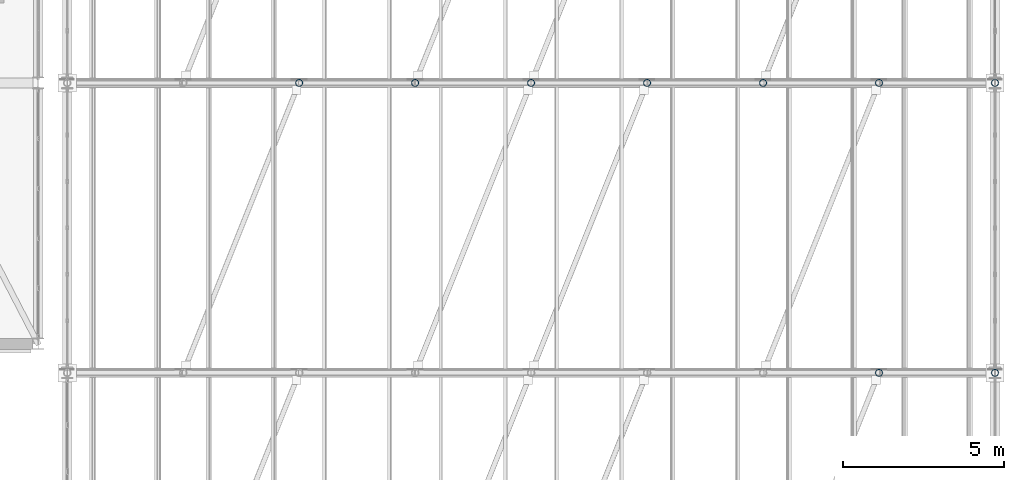
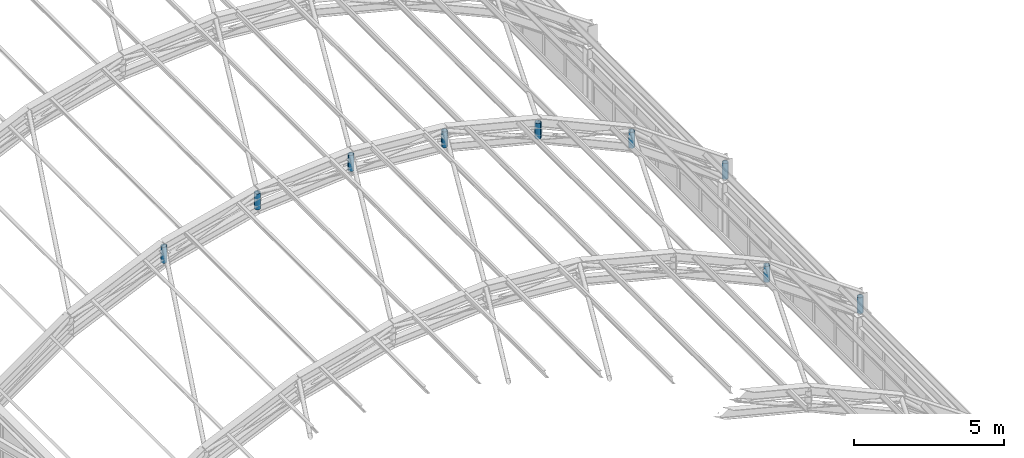
# One storey, part 92 of 121: 9 members.
"""IFC4 building model written with IfcOpenShell, lengths in metres."""

from ifc_helpers import new_model, si_unit, direction, frame, origin, origin_2d, place, context, subcontext, project, spatial, hollow_circle, extrude, material, material_profile, profile_set, type_object, element, save


model = new_model("IFC4")

# Units and contexts
model_context = context("Model", 3, precision=1e-05, world=origin(), true_north=direction((0.0, 1.0)))
body_context = subcontext(model_context, "Body", "Model", "MODEL_VIEW")
ifc_project = project(units=[si_unit("LENGTHUNIT", "METRE"), si_unit("AREAUNIT", "SQUARE_METRE"), si_unit("VOLUMEUNIT", "CUBIC_METRE"), si_unit("PLANEANGLEUNIT", "RADIAN"), si_unit("MASSUNIT", "GRAM", prefix="KILO")], contexts=[model_context])

# Site, building, storey
site_placement = place(None, origin())
site = spatial("IfcSite", under=ifc_project, at=site_placement, CompositionType="ELEMENT")
building_placement = place(site_placement, origin())
building = spatial("IfcBuilding", under=site, at=building_placement, Name="Canglan Escarpment Cableway Terminal", CompositionType="ELEMENT")
storey_placement = place(building_placement, frame((0.0, 0.0, 24.60009765625)))
storey = spatial("IfcBuildingStorey", under=building, at=storey_placement, Name="L05", CompositionType="ELEMENT", Elevation=24.60009765625)

# Members
ifc_material = material(Name="Steel Q355B", Category="steel")
ifc_material_profile = material_profile(ifc_material, hollow_circle(Radius=0.109619140625, WallThickness=0.008056640625, at=origin_2d()), Name="CHS 219.1x8")
ifc_profile_set = profile_set([ifc_material_profile], Name="Steel Q355B")
member_type = type_object("IfcMemberType", Name="MB-ARCH-WEB-CHS219", PredefinedType="BRACE", material=ifc_profile_set)
member_1_placement = place(storey_placement, frame((162.800048828125, 88.0, 4.966552734375), z_axis=(0.0, 0.0, 1.0), x_axis=(1.0, 0.0, 0.0)))
element("IfcMember", 1, at=member_1_placement, inside=storey, type_object=member_type, Name="Vault ROOF TRUSS vertical strut AR-WB1", PredefinedType="BRACE", context=body_context, shape_type="SweptSolid", body=[
    extrude(hollow_circle(Radius=0.109619140625, WallThickness=0.008056640625, at=origin_2d()), origin(), (0.0, 0.0, 1.0), 0.64990234375),
])
member_2_placement = place(storey_placement, frame((166.39990234375, 88.0, 2.432373046875), z_axis=(0.0, 0.0, 1.0), x_axis=(1.0, 0.0, 0.0)))
element("IfcMember", 2, at=member_2_placement, inside=storey, type_object=member_type, Name="Vault ROOF TRUSS springing strut AR-WB1", PredefinedType="BRACE", context=body_context, shape_type="SweptSolid", body=[
    extrude(hollow_circle(Radius=0.109619140625, WallThickness=0.008056640625, at=origin_2d()), origin(), (0.0, 0.0, 1.0), 0.650146484375),
])
for number, where, z_axis, x_axis, name in (
    (3, (144.800048828125, 97.0, 6.58837890625), (0.0, 0.0, 1.0), (1.0, 0.0, 0.0), "Vault ROOF TRUSS vertical strut AR-WB1"),
    (4, (148.39990234375, 97.0, 7.50341796875), (0.0, 0.0, 1.0), (1.0, 0.0, 0.0), "Vault ROOF TRUSS vertical strut AR-WB1"),
):
    element("IfcMember", number, at=place(storey_placement, frame(where, z_axis=z_axis, x_axis=x_axis)), inside=storey, type_object=member_type, Name=name, PredefinedType="BRACE", context=body_context, shape_type="SweptSolid", body=[
        extrude(hollow_circle(Radius=0.109619140625, WallThickness=0.008056640625, at=origin_2d()), origin(), (0.0, 0.0, 1.0), 0.64990234375),
    ])
member_3_placement = place(storey_placement, frame((152.0, 97.0, 7.7998046875), z_axis=(0.0, 0.0, 1.0), x_axis=(1.0, 0.0, 0.0)))
element("IfcMember", 5, at=member_3_placement, inside=storey, type_object=member_type, Name="Vault ROOF TRUSS vertical strut AR-WB1", PredefinedType="BRACE", context=body_context, shape_type="SweptSolid", body=[
    extrude(hollow_circle(Radius=0.109619140625, WallThickness=0.008056640625, at=origin_2d()), origin(), (0.0, 0.0, 1.0), 0.650146484375),
])
for number, where, z_axis, x_axis, name in (
    (6, (155.60009765625, 97.0, 7.50341796875), (0.0, 0.0, 1.0), (1.0, 0.0, 0.0), "Vault ROOF TRUSS vertical strut AR-WB1"),
    (7, (159.199951171875, 97.0, 6.58837890625), (0.0, 0.0, 1.0), (1.0, 0.0, 0.0), "Vault ROOF TRUSS vertical strut AR-WB1"),
    (8, (162.800048828125, 97.0, 4.966552734375), (0.0, 0.0, 1.0), (1.0, 0.0, 0.0), "Vault ROOF TRUSS vertical strut AR-WB1"),
):
    element("IfcMember", number, at=place(storey_placement, frame(where, z_axis=z_axis, x_axis=x_axis)), inside=storey, type_object=member_type, Name=name, PredefinedType="BRACE", context=body_context, shape_type="SweptSolid", body=[
        extrude(hollow_circle(Radius=0.109619140625, WallThickness=0.008056640625, at=origin_2d()), origin(), (0.0, 0.0, 1.0), 0.64990234375),
    ])
member_4_placement = place(storey_placement, frame((166.39990234375, 97.0, 2.432373046875), z_axis=(0.0, 0.0, 1.0), x_axis=(1.0, 0.0, 0.0)))
element("IfcMember", 9, at=member_4_placement, inside=storey, type_object=member_type, Name="Vault ROOF TRUSS springing strut AR-WB1", PredefinedType="BRACE", context=body_context, shape_type="SweptSolid", body=[
    extrude(hollow_circle(Radius=0.109619140625, WallThickness=0.008056640625, at=origin_2d()), origin(), (0.0, 0.0, 1.0), 0.650146484375),
])

save(model, "model.ifc")
